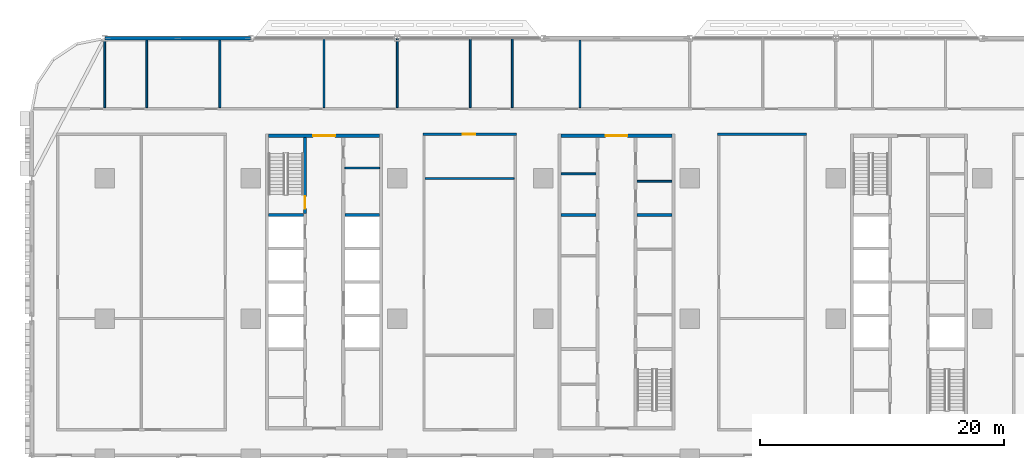
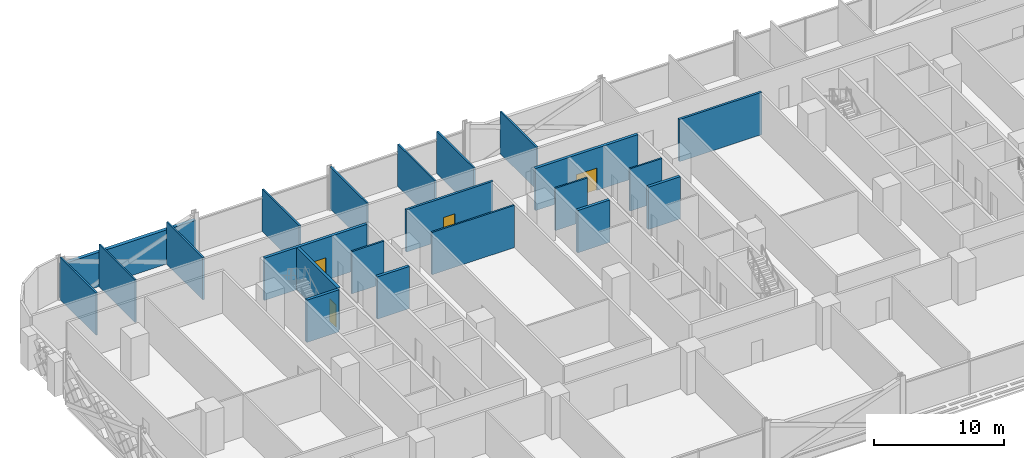
# One storey, part 12 of 28: 22 walls, 4 doors, 4 openings.
"""IFC4 building model written with IfcOpenShell, lengths in metres."""

import ifcopenshell
import ifcopenshell.guid

model = None  # the IFC model being written
_history = None  # IfcOwnerHistory: only IFC2X3 demands one
_inside = {}  # id of a spatial element -> (the spatial element, [elements in it])
_under = {}  # id of a project, library or spatial element -> (it, [spatial elements below it])
_declared = {}  # id of a project -> (the project, [libraries it declares])
_typed = {}  # id of a type object -> (the type object, [elements of that type])
_made_of = {}  # id of a material, layer set ... -> (it, [elements and type objects made of it])


def new_model(schema):
    """Start an empty IFC model of exactly this schema.

    Asked for "IFC4X3", IfcOpenShell would pick the latest addendum, in which some entities
    have other attributes; the version numbers below select the first issue.
    IFC2X3 requires an IfcOwnerHistory on every rooted entity: one is made here for all.
    """
    global model, _history
    if schema == "IFC4X3":
        model = ifcopenshell.file(schema_version=(4, 3, 0, 0))
    else:
        model = ifcopenshell.file(schema=schema)
    _inside.clear()
    _under.clear()
    _declared.clear()
    _typed.clear()
    _made_of.clear()
    _history = None
    if model.schema == "IFC2X3":
        org = make("IfcOrganization", Name="unknown")
        user = make(
            "IfcPersonAndOrganization",
            ThePerson=make("IfcPerson", FamilyName="unknown"),
            TheOrganization=org,
        )
        app = make(
            "IfcApplication",
            ApplicationDeveloper=org,
            Version="unknown",
            ApplicationFullName="unknown",
            ApplicationIdentifier="unknown",
        )
        _history = make(
            "IfcOwnerHistory",
            OwningUser=user,
            OwningApplication=app,
            ChangeAction="ADDED",
            CreationDate=0,
        )
    return model


def make(cls, **values):
    """One entity of the class cls with the attributes given. An attribute that is None is left unset."""
    return model.create_entity(
        cls, **{name: value for name, value in values.items() if value is not None}
    )


def rooted(cls, **values):
    """An entity with a GlobalId (a new one), such as an element, a storey or a relation."""
    return make(cls, GlobalId=ifcopenshell.guid.new(), OwnerHistory=_history, **values)


def si_unit(unit_type, name, prefix=None):
    """IfcSIUnit, for example si_unit("LENGTHUNIT", "METRE", prefix="MILLI")."""
    return make("IfcSIUnit", UnitType=unit_type, Prefix=prefix, Name=name)


def assignment(units):
    """IfcUnitAssignment: the units of a project."""
    return None if units is None else make("IfcUnitAssignment", Units=units)


def point(xyz):
    """IfcCartesianPoint."""
    return None if xyz is None else make("IfcCartesianPoint", Coordinates=xyz)


def direction(xyz):
    """IfcDirection."""
    return None if xyz is None else make("IfcDirection", DirectionRatios=xyz)


def frame(location, z_axis=None, x_axis=None):
    """IfcAxis2Placement3D, a coordinate frame: its origin and axes. An axis left out is left unset."""
    return make(
        "IfcAxis2Placement3D",
        Location=point(location),
        Axis=direction(z_axis),
        RefDirection=direction(x_axis),
    )


def frame_2d(location, x_axis=None):
    """IfcAxis2Placement2D, a coordinate frame in the plane: its origin and x axis."""
    return make(
        "IfcAxis2Placement2D", Location=point(location), RefDirection=direction(x_axis)
    )


def origin():
    """The frame at (0, 0, 0) with its axes left unset."""
    return frame((0.0, 0.0, 0.0))


def place(relative_to, where):
    """IfcLocalPlacement: puts the frame where relative to a parent placement (None: the world)."""
    return make(
        "IfcLocalPlacement", PlacementRelTo=relative_to, RelativePlacement=where
    )


def context(
    kind, dimensions, precision=None, world=None, true_north=None, identifier=None
):
    """IfcGeometricRepresentationContext, for example the 3D "Model" context."""
    return make(
        "IfcGeometricRepresentationContext",
        ContextIdentifier=identifier,
        ContextType=kind,
        CoordinateSpaceDimension=dimensions,
        Precision=precision,
        WorldCoordinateSystem=world,
        TrueNorth=true_north,
    )


def subcontext(parent, identifier, kind, view, scale=None):
    """IfcGeometricRepresentationSubContext, for example "Body" below "Model"."""
    return make(
        "IfcGeometricRepresentationSubContext",
        ContextIdentifier=identifier,
        ContextType=kind,
        ParentContext=parent,
        TargetScale=scale,
        TargetView=view,
    )


def project(units=None, contexts=None):
    """IfcProject with its units and contexts."""
    return rooted(
        "IfcProject",
        Name="project",
        RepresentationContexts=contexts,
        UnitsInContext=assignment(units),
    )


def spatial(cls, under=None, at=None, **own):
    """A site, building, storey or space (cls), placed at a placement, below another one or the project."""
    s = rooted(cls, ObjectPlacement=at, **own)
    if under is not None:
        _under.setdefault(under.id(), (under, []))[1].append(s)
    return s


def profile(cls, at=None, kind="AREA", **sizes):
    """A parametric profile (cls). Its sizes go by their IFC names, for example OverallWidth=200.0."""
    return make(cls, ProfileType=kind, Position=at, **sizes)


def rectangle(**sizes):
    """IfcRectangleProfileDef."""
    return profile("IfcRectangleProfileDef", **sizes)


def extrude(swept, where, along, depth):
    """IfcExtrudedAreaSolid: the profile swept, set in the frame where, extruded along a direction by depth."""
    return make(
        "IfcExtrudedAreaSolid",
        SweptArea=swept,
        Position=where,
        ExtrudedDirection=direction(along),
        Depth=depth,
    )


def shape(context_of_items, identifier, shape_type, items):
    """IfcShapeRepresentation: the items that make up one representation, for example the "Body"."""
    return make(
        "IfcShapeRepresentation",
        ContextOfItems=context_of_items,
        RepresentationIdentifier=identifier,
        RepresentationType=shape_type,
        Items=items,
    )


def material(Name=None, Category=None):
    """IfcMaterial."""
    return make("IfcMaterial", Name=Name, Category=Category)


def layer(
    of_material, thickness, ventilated=None, Name=None, Category=None, Priority=None
):
    """IfcMaterialLayer: one layer of a wall or slab, of a material (None: an air gap)."""
    return make(
        "IfcMaterialLayer",
        Material=of_material,
        LayerThickness=thickness,
        IsVentilated=ventilated,
        Name=Name,
        Category=Category,
        Priority=Priority,
    )


def layer_set(layers, Name=None):
    """IfcMaterialLayerSet."""
    return make("IfcMaterialLayerSet", MaterialLayers=layers, LayerSetName=Name)


def made_of(thing, what):
    """Note that an element or type object is made of a material, layer set ...; save() writes the relation."""
    if what is not None:
        _made_of.setdefault(what.id(), (what, []))[1].append(thing)
    return thing


def type_object(cls, material=None, **own):
    """A type object (cls), such as IfcWallType, which elements share."""
    return made_of(rooted(cls, **own), material)


def element(
    cls,
    number,
    at=None,
    inside=None,
    cuts=None,
    type_object=None,
    material=None,
    context=None,
    identifier="Body",
    shape_type=None,
    held_by="IfcProductDefinitionShape",
    body=None,
    shapes=None,
    **own,
):
    """One element of the class cls, such as IfcWall. Its Tag is "e" and its number.

    at: its placement. inside: the storey or other place that contains it. cuts: it is an
    opening in that element (IfcRelVoidsElement). A single representation is given by context,
    identifier, shape_type and body (its items); several are given by shapes. held_by: the class
    of the entity that holds the representations. save() writes the other relations.
    """
    e = rooted(cls, Tag="e%d" % number, ObjectPlacement=at, **own)
    if body is not None:
        shapes = [shape(context, identifier, shape_type, body)]
    if shapes is not None:
        e.Representation = make(held_by, Representations=shapes)
    if inside is not None:
        _inside.setdefault(inside.id(), (inside, []))[1].append(e)
    if cuts is not None:
        rooted(
            "IfcRelVoidsElement", RelatingBuildingElement=cuts, RelatedOpeningElement=e
        )
    if type_object is not None:
        _typed.setdefault(type_object.id(), (type_object, []))[1].append(e)
    return made_of(e, material)


def fill(opening, filler):
    """IfcRelFillsElement: the door or window that sits in an opening."""
    return rooted(
        "IfcRelFillsElement",
        RelatingOpeningElement=opening,
        RelatedBuildingElement=filler,
    )


def aggregate(whole, parts):
    """IfcRelAggregates: a whole, such as a stair, and the parts it consists of."""
    return rooted("IfcRelAggregates", RelatingObject=whole, RelatedObjects=parts)


def save(model, path):
    """Write the relations noted so far, then the file.

    IfcRelAggregates (storeys below a building ...), IfcRelContainedInSpatialStructure (elements
    in a storey), IfcRelDefinesByType, IfcRelAssociatesMaterial and IfcRelDeclares: one each for
    every whole, place, type object, material and project.
    """
    for whole, parts in _under.values():
        aggregate(whole, parts)
    for where, things in _inside.values():
        rooted(
            "IfcRelContainedInSpatialStructure",
            RelatedElements=things,
            RelatingStructure=where,
        )
    for kind, things in _typed.values():
        rooted("IfcRelDefinesByType", RelatedObjects=things, RelatingType=kind)
    for what, things in _made_of.values():
        rooted("IfcRelAssociatesMaterial", RelatedObjects=things, RelatingMaterial=what)
    for by, libraries in _declared.values():
        rooted("IfcRelDeclares", RelatingContext=by, RelatedDefinitions=libraries)
    model.write(path)


model = new_model("IFC4")

# Units and contexts
model_context = context("Model", 3, precision=1e-05, world=origin(), true_north=direction((0.0, 1.0)))
body_context = subcontext(model_context, "Body", "Model", "MODEL_VIEW")
ifc_project = project(units=[si_unit("LENGTHUNIT", "METRE"), si_unit("AREAUNIT", "SQUARE_METRE"), si_unit("VOLUMEUNIT", "CUBIC_METRE"), si_unit("PLANEANGLEUNIT", "RADIAN"), si_unit("MASSUNIT", "GRAM", prefix="KILO")], contexts=[model_context])

# Site, building, storey
site_placement = place(None, origin())
site = spatial("IfcSite", under=ifc_project, at=site_placement, CompositionType="ELEMENT")
building_placement = place(site_placement, origin())
building = spatial("IfcBuilding", under=site, at=building_placement, Name="Mahtab Terrace Research Tower", CompositionType="ELEMENT")
storey_placement = place(building_placement, frame((0.0, 0.0, 33.0)))
storey = spatial("IfcBuildingStorey", under=building, at=storey_placement, Name="L07", CompositionType="ELEMENT", Elevation=33.0)

# Walls
ifc_material_1 = material(Name="Gypsum board partition")
ifc_layer_1 = layer(ifc_material_1, 0.14990234375)
ifc_layer_set_1 = layer_set([ifc_layer_1], Name="Core partition 150")
wall_type_1 = type_object("IfcWallType", Name="Core partition 150", PredefinedType="PARTITIONING", material=ifc_layer_set_1)
for number, where, z_axis, x_axis, name in (
    (1, (-22.300048828125, 12.35498046875, 0.0), (0.0, 0.0, 1.0), (1.0, 0.0, 0.0), "Core wall A pEN936"),
    (2, (-4.550048828125, 11.875, 0.0), (0.0, 0.0, 1.0), (1.0, 0.0, 0.0), "Core wall B pWN888"),
    (3, (1.699951171875, 11.27490234375, 0.0), (0.0, 0.0, 1.0), (1.0, 0.0, 0.0), "Core wall B pEN828"),
):
    element("IfcWall", number, at=place(storey_placement, frame(where, z_axis=z_axis, x_axis=x_axis)), inside=storey, type_object=wall_type_1, Name=name, PredefinedType="PARTITIONING", context=body_context, shape_type="SweptSolid", body=[
        extrude(rectangle(XDim=2.85009765625, YDim=0.14990234375, at=frame_2d((1.425048828125, 0.0))), origin(), (0.0, 0.0, 1.0), 3.9599609375),
    ])

# Wall, opening, door
ifc_material_2 = material(Name="Concrete C70/85", Category="concrete")
ifc_layer_2 = layer(ifc_material_2, 0.25)
ifc_layer_set_2 = layer_set([ifc_layer_2], Name="Core wall 250")
wall_type_2 = type_object("IfcWallType", Name="Core wall 250", PredefinedType="SOLIDWALL", material=ifc_layer_set_2)
wall_1_placement = place(storey_placement, frame((-28.550048828125, 15.0, 0.0), z_axis=(0.0, 0.0, 1.0), x_axis=(1.0, 0.0, 0.0)))
wall_1 = element("IfcWall", 4, at=wall_1_placement, inside=storey, type_object=wall_type_2, Name="Core wall A endN", PredefinedType="SOLIDWALL", context=body_context, shape_type="SweptSolid", body=[
    extrude(rectangle(XDim=9.10009765625, YDim=0.25, at=frame_2d((4.550048828125, 0.0))), origin(), (0.0, 0.0, 1.0), 3.9599609375),
])
opening_1_placement = place(wall_1_placement, frame((3.64990234375, 0.0, 0.0)))
opening_1 = element("IfcOpeningElement", 5, at=opening_1_placement, cuts=wall_1, Name="Opening A-N1", PredefinedType="OPENING", context=body_context, shape_type="SweptSolid", body=[
    extrude(rectangle(XDim=1.800048828125, YDim=2.10009765625, at=frame_2d((0.89990234375, 1.050048828125))), frame((0.0, 0.135009765625, 0.0), z_axis=(0.0, -1.0, 0.0), x_axis=(1.0, 0.0, 0.0)), (0.0, 0.0, 1.0), 0.27001953125),
])
ifc_material_3 = material(Name="Steel fire door", Category="steel")
door_type_1 = type_object("IfcDoorType", Name="Lobby double door 1800x2100 1 HR", OperationType="DOUBLE_DOOR_SINGLE_SWING", PredefinedType="DOOR", material=ifc_material_3)
door_1_placement = place(opening_1_placement, origin())
door_1 = element("IfcDoor", 6, at=door_1_placement, inside=storey, type_object=door_type_1, Name="Core entrance door A N", OperationType="DOUBLE_DOOR_SINGLE_SWING", OverallHeight=2.10009765625, OverallWidth=1.800048828125, PredefinedType="DOOR", context=body_context, shape_type="SweptSolid", body=[
    extrude(rectangle(XDim=1.800048828125, YDim=2.10009765625, at=frame_2d((0.89990234375, 1.050048828125))), frame((0.0, 0.02490234375, 0.0), z_axis=(0.0, -1.0, 0.0), x_axis=(1.0, 0.0, 0.0)), (0.0, 0.0, 1.0), 0.050048828125),
])
fill(opening_1, door_1)

wall_2_placement = place(storey_placement, frame((-25.574951171875, 14.875, 0.0), z_axis=(0.0, 0.0, 1.0), x_axis=(0.0, -1.0, 0.0)))
wall_2 = element("IfcWall", 7, at=wall_2_placement, inside=storey, type_object=wall_type_2, Name="Core wall A innerWN", PredefinedType="SOLIDWALL", context=body_context, shape_type="SweptSolid", body=[
    extrude(rectangle(XDim=6.25, YDim=0.25, at=frame_2d((3.125, 0.0))), origin(), (0.0, 0.0, 1.0), 3.9599609375),
])
opening_2_placement = place(wall_2_placement, frame((4.85009765625, 0.0, 0.0)))
opening_2 = element("IfcOpeningElement", 8, at=opening_2_placement, cuts=wall_2, Name="Opening A-ST1", PredefinedType="OPENING", context=body_context, shape_type="SweptSolid", body=[
    extrude(rectangle(XDim=1.0, YDim=2.10009765625, at=frame_2d((0.5, 1.050048828125))), frame((0.0, 0.135009765625, 0.0), z_axis=(0.0, -1.0, 0.0), x_axis=(1.0, 0.0, 0.0)), (0.0, 0.0, 1.0), 0.27001953125),
])
door_type_2 = type_object("IfcDoorType", Name="Stair door 1000x2100 1.5 HR", OperationType="NOTDEFINED", PredefinedType="DOOR", material=ifc_material_3)
door_2_placement = place(opening_2_placement, origin())
door_2 = element("IfcDoor", 9, at=door_2_placement, inside=storey, type_object=door_type_2, Name="Stair door ST1 L07", OperationType="SINGLE_SWING_RIGHT", OverallHeight=2.10009765625, OverallWidth=1.0, PredefinedType="DOOR", context=body_context, shape_type="SweptSolid", body=[
    extrude(rectangle(XDim=1.0, YDim=2.10009765625, at=frame_2d((0.5, 1.050048828125))), frame((0.0, 0.02490234375, 0.0), z_axis=(0.0, -1.0, 0.0), x_axis=(1.0, 0.0, 0.0)), (0.0, 0.0, 1.0), 0.050048828125),
])
fill(opening_2, door_2)

# Walls
for number, where, z_axis, x_axis, name in (
    (10, (-28.550048828125, 8.5, 0.0), (0.0, 0.0, 1.0), (1.0, 0.0, 0.0), "Core wall A divW4"),
    (11, (-22.300048828125, 8.5, 0.0), (0.0, 0.0, 1.0), (1.0, 0.0, 0.0), "Core wall A divE4"),
):
    element("IfcWall", number, at=place(storey_placement, frame(where, z_axis=z_axis, x_axis=x_axis)), inside=storey, type_object=wall_type_2, Name=name, PredefinedType="SOLIDWALL", context=body_context, shape_type="SweptSolid", body=[
        extrude(rectangle(XDim=2.85009765625, YDim=0.25, at=frame_2d((1.425048828125, 0.0))), origin(), (0.0, 0.0, 1.0), 3.9599609375),
    ])

# Wall, opening, door
wall_3_placement = place(storey_placement, frame((-4.550048828125, 15.0, 0.0), z_axis=(0.0, 0.0, 1.0), x_axis=(1.0, 0.0, 0.0)))
wall_3 = element("IfcWall", 12, at=wall_3_placement, inside=storey, type_object=wall_type_2, Name="Core wall B endN", PredefinedType="SOLIDWALL", context=body_context, shape_type="SweptSolid", body=[
    extrude(rectangle(XDim=9.10009765625, YDim=0.25, at=frame_2d((4.550048828125, 0.0))), origin(), (0.0, 0.0, 1.0), 3.9599609375),
])
opening_3_placement = place(wall_3_placement, frame((3.64990234375, 0.0, 0.0)))
opening_3 = element("IfcOpeningElement", 13, at=opening_3_placement, cuts=wall_3, Name="Opening B-N1", PredefinedType="OPENING", context=body_context, shape_type="SweptSolid", body=[
    extrude(rectangle(XDim=1.800048828125, YDim=2.10009765625, at=frame_2d((0.89990234375, 1.050048828125))), frame((0.0, 0.135009765625, 0.0), z_axis=(0.0, -1.0, 0.0), x_axis=(1.0, 0.0, 0.0)), (0.0, 0.0, 1.0), 0.27001953125),
])
door_3_placement = place(opening_3_placement, origin())
door_3 = element("IfcDoor", 14, at=door_3_placement, inside=storey, type_object=door_type_1, Name="Core entrance door B N", OperationType="DOUBLE_DOOR_SINGLE_SWING", OverallHeight=2.10009765625, OverallWidth=1.800048828125, PredefinedType="DOOR", context=body_context, shape_type="SweptSolid", body=[
    extrude(rectangle(XDim=1.800048828125, YDim=2.10009765625, at=frame_2d((0.89990234375, 1.050048828125))), frame((0.0, 0.02490234375, 0.0), z_axis=(0.0, -1.0, 0.0), x_axis=(1.0, 0.0, 0.0)), (0.0, 0.0, 1.0), 0.050048828125),
])
fill(opening_3, door_3)

# Walls
for number, where, z_axis, x_axis, name in (
    (15, (-4.550048828125, 8.5, 0.0), (0.0, 0.0, 1.0), (1.0, 0.0, 0.0), "Core wall B divW4"),
    (16, (1.699951171875, 8.5, 0.0), (0.0, 0.0, 1.0), (1.0, 0.0, 0.0), "Core wall B divE4"),
):
    element("IfcWall", number, at=place(storey_placement, frame(where, z_axis=z_axis, x_axis=x_axis)), inside=storey, type_object=wall_type_2, Name=name, PredefinedType="SOLIDWALL", context=body_context, shape_type="SweptSolid", body=[
        extrude(rectangle(XDim=2.85009765625, YDim=0.25, at=frame_2d((1.425048828125, 0.0))), origin(), (0.0, 0.0, 1.0), 3.9599609375),
    ])
ifc_material_4 = material(Name="Black aluminium cladding panel", Category="aluminium")
ifc_layer_3 = layer(ifc_material_4, 0.300048828125)
ifc_layer_set_3 = layer_set([ifc_layer_3], Name="Opaque facade wall 300")
wall_type_3 = type_object("IfcWallType", Name="Opaque facade wall 300", PredefinedType="NOTDEFINED", material=ifc_layer_set_3)
wall_4_placement = place(storey_placement, frame((-30.02783203125, 23.0, 0.0), z_axis=(0.0, 0.0, 1.0), x_axis=(-1.0, 0.0, 0.0)))
element("IfcWall", 17, at=wall_4_placement, inside=storey, type_object=wall_type_3, Name="Opaque facade wall L07 N9", PredefinedType="NOTDEFINED", context=body_context, shape_type="SweptSolid", body=[
    extrude(rectangle(XDim=11.9443359375, YDim=0.300048828125, at=frame_2d((5.97216796875, 0.0))), origin(), (0.0, 0.0, 1.0), 3.203125),
])

# Wall, opening, door
ifc_material_5 = material(Name="Gypsum board corridor wall on steel studs", Category="steel")
ifc_layer_4 = layer(ifc_material_5, 0.199951171875)
ifc_layer_set_4 = layer_set([ifc_layer_4], Name="WALL CORRIDOR 200")
wall_type_4 = type_object("IfcWallType", Name="WALL CORRIDOR 200", PredefinedType="PARTITIONING", material=ifc_layer_set_4)
wall_5_placement = place(storey_placement, frame((-15.89990234375, 15.125, 0.0), z_axis=(0.0, 0.0, 1.0), x_axis=(1.0, 0.0, 0.0)))
wall_5 = element("IfcWall", 18, at=wall_5_placement, inside=storey, type_object=wall_type_4, Name="L07-W023", PredefinedType="PARTITIONING", context=body_context, shape_type="SweptSolid", body=[
    extrude(rectangle(XDim=7.699951171875, YDim=0.199951171875, at=frame_2d((3.85009765625, 0.0))), origin(), (0.0, 0.0, 1.0), 3.9599609375),
])
opening_4_placement = place(wall_5_placement, frame((3.300048828125, 0.0, 0.0)))
opening_4 = element("IfcOpeningElement", 19, at=opening_4_placement, cuts=wall_5, Name="Opening L07-123", PredefinedType="OPENING", context=body_context, shape_type="SweptSolid", body=[
    extrude(rectangle(XDim=1.0, YDim=2.10009765625, at=frame_2d((0.5, 1.050048828125))), frame((0.0, 0.10986328125, 0.0), z_axis=(0.0, -1.0, 0.0), x_axis=(1.0, 0.0, 0.0)), (0.0, 0.0, 1.0), 0.219970703125),
])
ifc_material_6 = material(Name="Timber door leaf in steel frame", Category="steel")
door_type_3 = type_object("IfcDoorType", Name="DOOR 1000X2100 FD30S", OperationType="SINGLE_SWING_LEFT", PredefinedType="DOOR", material=ifc_material_6)
door_4_placement = place(opening_4_placement, origin())
door_4 = element("IfcDoor", 20, at=door_4_placement, inside=storey, type_object=door_type_3, Name="Door L07-123", OperationType="SINGLE_SWING_RIGHT", OverallHeight=2.10009765625, OverallWidth=1.0, PredefinedType="DOOR", context=body_context, shape_type="SweptSolid", body=[
    extrude(rectangle(XDim=1.0, YDim=2.10009765625, at=frame_2d((0.5, 1.050048828125))), frame((0.0, 0.02490234375, 0.0), z_axis=(0.0, -1.0, 0.0), x_axis=(1.0, 0.0, 0.0)), (0.0, 0.0, 1.0), 0.050048828125),
])
fill(opening_4, door_4)

# Walls
wall_6_placement = place(storey_placement, frame((8.300048828125, 15.125, 0.0), z_axis=(0.0, 0.0, 1.0), x_axis=(1.0, 0.0, 0.0)))
element("IfcWall", 21, at=wall_6_placement, inside=storey, type_object=wall_type_4, Name="L07-W024", PredefinedType="PARTITIONING", context=body_context, shape_type="SweptSolid", body=[
    extrude(rectangle(XDim=7.300048828125, YDim=0.199951171875, at=frame_2d((3.64990234375, 0.0))), origin(), (0.0, 0.0, 1.0), 3.9599609375),
])
ifc_material_7 = material(Name="Gypsum board partition on steel studs", Category="steel")
ifc_layer_5 = layer(ifc_material_7, 0.14990234375)
ifc_layer_set_5 = layer_set([ifc_layer_5], Name="WALL PARTITION 150")
wall_type_5 = type_object("IfcWallType", Name="WALL PARTITION 150", PredefinedType="PARTITIONING", material=ifc_layer_set_5)
wall_7_placement = place(storey_placement, frame((-15.699951171875, 11.5, 0.0), z_axis=(0.0, 0.0, 1.0), x_axis=(1.0, 0.0, 0.0)))
element("IfcWall", 22, at=wall_7_placement, inside=storey, type_object=wall_type_5, Name="L07-W019", PredefinedType="PARTITIONING", context=body_context, shape_type="SweptSolid", body=[
    extrude(rectangle(XDim=7.300048828125, YDim=0.14990234375, at=frame_2d((3.64990234375, 0.0))), origin(), (0.0, 0.0, 1.0), 3.9599609375),
])
wall_8_placement = place(storey_placement, frame((-42.0, 17.300048828125, 0.0), z_axis=(0.0, 0.0, 1.0), x_axis=(0.0, 1.0, 0.0)))
element("IfcWall", 23, at=wall_8_placement, inside=storey, type_object=wall_type_5, Name="L07-W028", PredefinedType="PARTITIONING", context=body_context, shape_type="SweptSolid", body=[
    extrude(rectangle(XDim=5.547119140625, YDim=0.14990234375, at=frame_2d((2.7734375, 0.0))), origin(), (0.0, 0.0, 1.0), 3.9599609375),
])
for number, where, z_axis, x_axis, name in (
    (24, (-38.550048828125, 17.300048828125, 0.0), (0.0, 0.0, 1.0), (0.0, 1.0, 0.0), "L07-W030"),
    (25, (-32.550048828125, 17.300048828125, 0.0), (0.0, 0.0, 1.0), (0.0, 1.0, 0.0), "L07-W032"),
):
    element("IfcWall", number, at=place(storey_placement, frame(where, z_axis=z_axis, x_axis=x_axis)), inside=storey, type_object=wall_type_5, Name=name, PredefinedType="PARTITIONING", context=body_context, shape_type="SweptSolid", body=[
        extrude(rectangle(XDim=5.550048828125, YDim=0.14990234375, at=frame_2d((2.77490234375, 0.0))), origin(), (0.0, 0.0, 1.0), 3.9599609375),
    ])
for number, where, z_axis, x_axis, name in (
    (26, (-24.0, 17.300048828125, 0.0), (0.0, 0.0, 1.0), (0.0, 1.0, 0.0), "L07-W035"),
    (27, (-18.0, 17.300048828125, 0.0), (0.0, 0.0, 1.0), (0.0, 1.0, 0.0), "L07-W037"),
    (28, (-12.0, 17.300048828125, 0.0), (0.0, 0.0, 1.0), (0.0, 1.0, 0.0), "L07-W039"),
    (29, (-8.550048828125, 17.300048828125, 0.0), (0.0, 0.0, 1.0), (0.0, 1.0, 0.0), "L07-W040"),
):
    element("IfcWall", number, at=place(storey_placement, frame(where, z_axis=z_axis, x_axis=x_axis)), inside=storey, type_object=wall_type_5, Name=name, PredefinedType="PARTITIONING", context=body_context, shape_type="SweptSolid", body=[
        extrude(rectangle(XDim=5.675048828125, YDim=0.14990234375, at=frame_2d((2.83740234375, 0.0))), origin(), (0.0, 0.0, 1.0), 3.9599609375),
    ])
wall_9_placement = place(storey_placement, frame((-3.0, 17.300048828125, 0.0), z_axis=(0.0, 0.0, 1.0), x_axis=(0.0, 1.0, 0.0)))
element("IfcWall", 30, at=wall_9_placement, inside=storey, type_object=wall_type_5, Name="L07-W043", PredefinedType="PARTITIONING", context=body_context, shape_type="SweptSolid", body=[
    extrude(rectangle(XDim=5.550048828125, YDim=0.14990234375, at=frame_2d((2.77490234375, 0.0))), origin(), (0.0, 0.0, 1.0), 3.9599609375),
])

save(model, "model.ifc")
